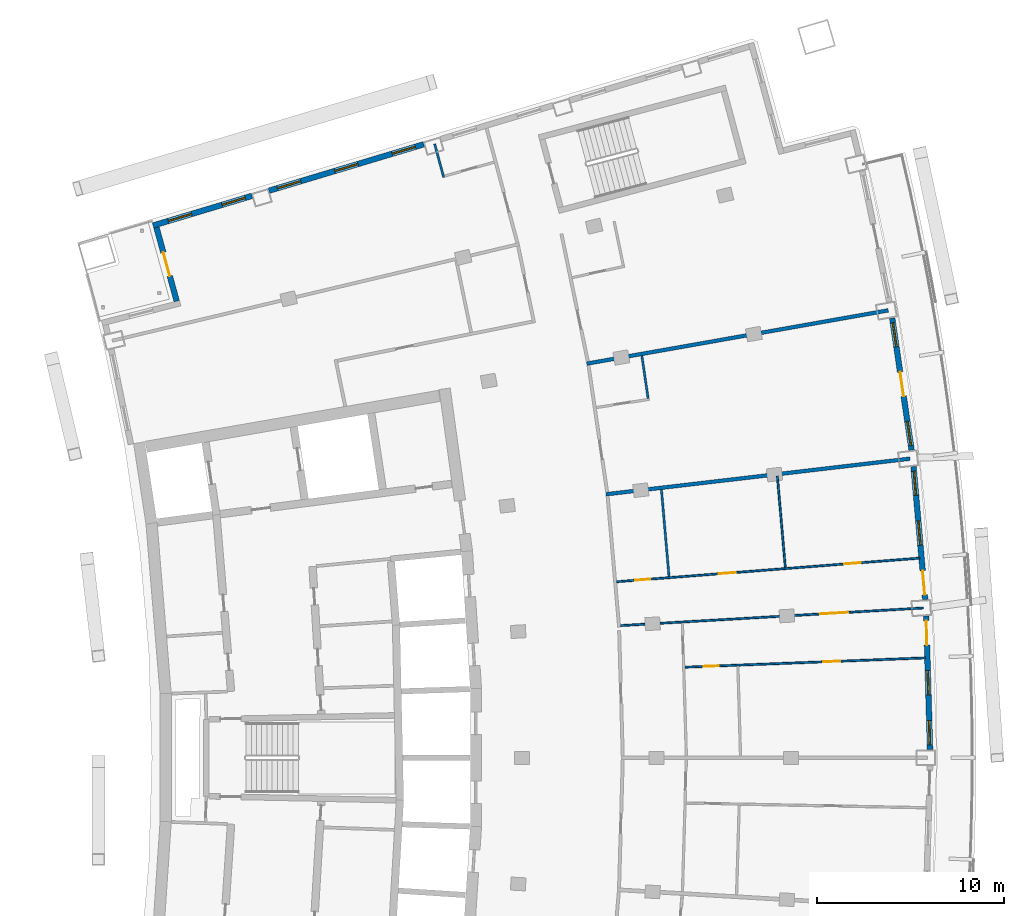
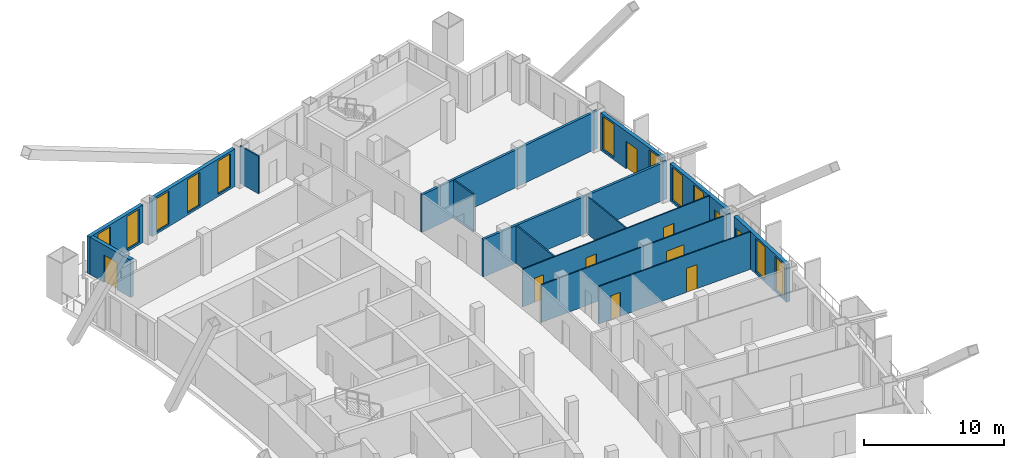
# One storey, part 14 of 19: 15 walls, 11 windows, 10 doors, 21 openings.
"""IFC4 building model written with IfcOpenShell, lengths in metres."""

from ifc_helpers import new_model, si_unit, direction, frame, frame_2d, origin, place, context, subcontext, project, spatial, rectangle, extrude, material, layer, layer_set, type_object, element, fill, save


model = new_model("IFC4")

# Units and contexts
model_context = context("Model", 3, precision=1e-05, world=origin(), true_north=direction((0.0, 1.0)))
body_context = subcontext(model_context, "Body", "Model", "MODEL_VIEW")
ifc_project = project(units=[si_unit("LENGTHUNIT", "METRE"), si_unit("AREAUNIT", "SQUARE_METRE"), si_unit("VOLUMEUNIT", "CUBIC_METRE"), si_unit("PLANEANGLEUNIT", "RADIAN"), si_unit("MASSUNIT", "GRAM", prefix="KILO")], contexts=[model_context])

# Site, building, storey
site_placement = place(None, origin())
site = spatial("IfcSite", under=ifc_project, at=site_placement, CompositionType="ELEMENT")
building_placement = place(site_placement, origin())
building = spatial("IfcBuilding", under=site, at=building_placement, Name="Alderwake Tower", CompositionType="ELEMENT")
storey_placement = place(building_placement, frame((0.0, 0.0, 221.60009765625)))
storey = spatial("IfcBuildingStorey", under=building, at=storey_placement, Name="L55", CompositionType="ELEMENT", Elevation=221.60009765625)

# Wall, openings, door, windows
ifc_material_1 = material(Name="Precast concrete C50/60 spandrel panel", Category="concrete")
ifc_layer_1 = layer(ifc_material_1, 0.300048828125)
ifc_layer_set_1 = layer_set([ifc_layer_1], Name="External wall EW1 Precast concrete C50/60 spandrel")
wall_type_1 = type_object("IfcWallType", Name="External wall EW1 Precast concrete C50/60 spandrel", PredefinedType="SOLIDWALL", material=ifc_layer_set_1)
wall_1_placement = place(storey_placement, frame((57.636962890625, 61.447265625, 0.0), z_axis=(0.0, 0.0, 1.0), x_axis=(-0.029158685433, 0.999574795132, 0.0)))
wall_1 = element("IfcWall", 1, at=wall_1_placement, inside=storey, type_object=wall_type_1, Name="External wall 16", PredefinedType="SOLIDWALL", context=body_context, shape_type="SweptSolid", body=[
    extrude(rectangle(XDim=7.133544921875, YDim=0.300048828125, at=frame_2d((3.56689453125, 0.0))), origin(), (0.0, 0.0, 1.0), 3.27978515625),
])
opening_1_placement = place(wall_1_placement, frame((0.24560546875, 0.0, 0.199951171875)))
opening_1 = element("IfcOpeningElement", 2, at=opening_1_placement, cuts=wall_1, Name="Opening W1", PredefinedType="OPENING", context=body_context, shape_type="SweptSolid", body=[
    extrude(rectangle(XDim=1.300048828125, YDim=2.89990234375, at=frame_2d((0.64990234375, 1.449951171875))), frame((0.0, 0.159912109375, 0.0), z_axis=(0.0, -1.0, 0.0), x_axis=(1.0, 0.0, 0.0)), (0.0, 0.0, 1.0), 0.320068359375),
])
opening_2_placement = place(wall_1_placement, frame((2.916748046875, 0.0, 0.199951171875)))
opening_2 = element("IfcOpeningElement", 3, at=opening_2_placement, cuts=wall_1, Name="Opening W1", PredefinedType="OPENING", context=body_context, shape_type="SweptSolid", body=[
    extrude(rectangle(XDim=1.300048828125, YDim=2.89990234375, at=frame_2d((0.64990234375, 1.449951171875))), frame((0.0, 0.159912109375, 0.0), z_axis=(0.0, -1.0, 0.0), x_axis=(1.0, 0.0, 0.0)), (0.0, 0.0, 1.0), 0.320068359375),
])
opening_3_placement = place(wall_1_placement, frame((5.588134765625, 0.0, 0.0)))
opening_3 = element("IfcOpeningElement", 4, at=opening_3_placement, cuts=wall_1, Name="Opening D05", PredefinedType="OPENING", context=body_context, shape_type="SweptSolid", body=[
    extrude(rectangle(XDim=1.300048828125, YDim=2.39990234375, at=frame_2d((0.64990234375, 1.199951171875))), frame((0.0, 0.159912109375, 0.0), z_axis=(0.0, -1.0, 0.0), x_axis=(1.0, 0.0, 0.0)), (0.0, 0.0, 1.0), 0.320068359375),
])
ifc_material_2 = material(Name="Bronze tinted glass in aluminium frame", Category="aluminium")
door_type_1 = type_object("IfcDoorType", Name="Balcony door BD sliding", OperationType="SLIDING_TO_LEFT", PredefinedType="DOOR", material=ifc_material_2)
door_1_placement = place(opening_3_placement, origin())
door_1 = element("IfcDoor", 5, at=door_1_placement, inside=storey, type_object=door_type_1, Name="Door D05", OperationType="SLIDING_TO_LEFT", OverallHeight=2.39990234375, OverallWidth=1.300048828125, PredefinedType="DOOR", context=body_context, shape_type="SweptSolid", body=[
    extrude(rectangle(XDim=1.300048828125, YDim=2.39990234375, at=frame_2d((0.64990234375, 1.199951171875))), frame((0.0, 0.02490234375, 0.0), z_axis=(0.0, -1.0, 0.0), x_axis=(1.0, 0.0, 0.0)), (0.0, 0.0, 1.0), 0.050048828125),
])
fill(opening_3, door_1)
ifc_material_3 = material(Name="Bronze tinted glass in aluminium frame", Category="aluminium")
window_type = type_object("IfcWindowType", Name="Window W1 tall fixed and vent", PartitioningType="DOUBLE_PANEL_VERTICAL", PredefinedType="WINDOW", material=ifc_material_3)
window_1_placement = place(opening_1_placement, origin())
window_1 = element("IfcWindow", 6, at=window_1_placement, inside=storey, type_object=window_type, Name="Window W1 tall fixed and vent", OverallHeight=2.89990234375, OverallWidth=1.300048828125, PartitioningType="DOUBLE_PANEL_VERTICAL", PredefinedType="WINDOW", context=body_context, shape_type="SweptSolid", body=[
    extrude(rectangle(XDim=1.300048828125, YDim=2.89990234375, at=frame_2d((0.64990234375, 1.449951171875))), frame((0.0, 0.030029296875, 0.0), z_axis=(0.0, -1.0, 0.0), x_axis=(1.0, 0.0, 0.0)), (0.0, 0.0, 1.0), 0.06005859375),
])
fill(opening_1, window_1)
window_2_placement = place(opening_2_placement, origin())
window_2 = element("IfcWindow", 7, at=window_2_placement, inside=storey, type_object=window_type, Name="Window W1 tall fixed and vent", OverallHeight=2.89990234375, OverallWidth=1.300048828125, PartitioningType="DOUBLE_PANEL_VERTICAL", PredefinedType="WINDOW", context=body_context, shape_type="SweptSolid", body=[
    extrude(rectangle(XDim=1.300048828125, YDim=2.89990234375, at=frame_2d((0.64990234375, 1.449951171875))), frame((0.0, 0.030029296875, 0.0), z_axis=(0.0, -1.0, 0.0), x_axis=(1.0, 0.0, 0.0)), (0.0, 0.0, 1.0), 0.06005859375),
])
fill(opening_2, window_2)

wall_2_placement = place(storey_placement, frame((57.376708984375, 69.470703125, 0.0), z_axis=(0.0, 0.0, 1.0), x_axis=(-0.087372427007, 0.996175716929, 0.0)))
wall_2 = element("IfcWall", 8, at=wall_2_placement, inside=storey, type_object=wall_type_1, Name="External wall 17", PredefinedType="SOLIDWALL", context=body_context, shape_type="SweptSolid", body=[
    extrude(rectangle(XDim=7.1337890625, YDim=0.300048828125, at=frame_2d((3.56689453125, 0.0))), origin(), (0.0, 0.0, 1.0), 3.27978515625),
])
opening_4_placement = place(wall_2_placement, frame((0.24560546875, 0.0, 0.0)))
opening_4 = element("IfcOpeningElement", 9, at=opening_4_placement, cuts=wall_2, Name="Opening D06", PredefinedType="OPENING", context=body_context, shape_type="SweptSolid", body=[
    extrude(rectangle(XDim=1.300048828125, YDim=2.39990234375, at=frame_2d((0.64990234375, 1.199951171875))), frame((0.0, 0.159912109375, 0.0), z_axis=(0.0, -1.0, 0.0), x_axis=(1.0, 0.0, 0.0)), (0.0, 0.0, 1.0), 0.320068359375),
])
opening_5_placement = place(wall_2_placement, frame((2.916748046875, 0.0, 0.199951171875)))
opening_5 = element("IfcOpeningElement", 10, at=opening_5_placement, cuts=wall_2, Name="Opening W1", PredefinedType="OPENING", context=body_context, shape_type="SweptSolid", body=[
    extrude(rectangle(XDim=1.300048828125, YDim=2.89990234375, at=frame_2d((0.64990234375, 1.449951171875))), frame((0.0, 0.159912109375, 0.0), z_axis=(0.0, -1.0, 0.0), x_axis=(1.0, 0.0, 0.0)), (0.0, 0.0, 1.0), 0.320068359375),
])
opening_6_placement = place(wall_2_placement, frame((5.588134765625, 0.0, 0.199951171875)))
opening_6 = element("IfcOpeningElement", 11, at=opening_6_placement, cuts=wall_2, Name="Opening W1", PredefinedType="OPENING", context=body_context, shape_type="SweptSolid", body=[
    extrude(rectangle(XDim=1.300048828125, YDim=2.89990234375, at=frame_2d((0.64990234375, 1.449951171875))), frame((0.0, 0.159912109375, 0.0), z_axis=(0.0, -1.0, 0.0), x_axis=(1.0, 0.0, 0.0)), (0.0, 0.0, 1.0), 0.320068359375),
])
door_2_placement = place(opening_4_placement, origin())
door_2 = element("IfcDoor", 12, at=door_2_placement, inside=storey, type_object=door_type_1, Name="Door D06", OperationType="SLIDING_TO_LEFT", OverallHeight=2.39990234375, OverallWidth=1.300048828125, PredefinedType="DOOR", context=body_context, shape_type="SweptSolid", body=[
    extrude(rectangle(XDim=1.300048828125, YDim=2.39990234375, at=frame_2d((0.64990234375, 1.199951171875))), frame((0.0, 0.02490234375, 0.0), z_axis=(0.0, -1.0, 0.0), x_axis=(1.0, 0.0, 0.0)), (0.0, 0.0, 1.0), 0.050048828125),
])
fill(opening_4, door_2)
window_3_placement = place(opening_5_placement, origin())
window_3 = element("IfcWindow", 13, at=window_3_placement, inside=storey, type_object=window_type, Name="Window W1 tall fixed and vent", OverallHeight=2.89990234375, OverallWidth=1.300048828125, PartitioningType="DOUBLE_PANEL_VERTICAL", PredefinedType="WINDOW", context=body_context, shape_type="SweptSolid", body=[
    extrude(rectangle(XDim=1.300048828125, YDim=2.89990234375, at=frame_2d((0.64990234375, 1.449951171875))), frame((0.0, 0.030029296875, 0.0), z_axis=(0.0, -1.0, 0.0), x_axis=(1.0, 0.0, 0.0)), (0.0, 0.0, 1.0), 0.06005859375),
])
fill(opening_5, window_3)
window_4_placement = place(opening_6_placement, origin())
window_4 = element("IfcWindow", 14, at=window_4_placement, inside=storey, type_object=window_type, Name="Window W1 tall fixed and vent", OverallHeight=2.89990234375, OverallWidth=1.300048828125, PartitioningType="DOUBLE_PANEL_VERTICAL", PredefinedType="WINDOW", context=body_context, shape_type="SweptSolid", body=[
    extrude(rectangle(XDim=1.300048828125, YDim=2.89990234375, at=frame_2d((0.64990234375, 1.449951171875))), frame((0.0, 0.030029296875, 0.0), z_axis=(0.0, -1.0, 0.0), x_axis=(1.0, 0.0, 0.0)), (0.0, 0.0, 1.0), 0.06005859375),
])
fill(opening_6, window_4)

wall_3_placement = place(storey_placement, frame((56.649169921875, 77.465576171875, 0.0), z_axis=(0.0, 0.0, 1.0), x_axis=(-0.14531565173, 0.989385345233, 0.0)))
wall_3 = element("IfcWall", 15, at=wall_3_placement, inside=storey, type_object=wall_type_1, Name="External wall 18", PredefinedType="SOLIDWALL", context=body_context, shape_type="SweptSolid", body=[
    extrude(rectangle(XDim=7.133544921875, YDim=0.300048828125, at=frame_2d((3.56689453125, 0.0))), origin(), (0.0, 0.0, 1.0), 3.27978515625),
])
opening_7_placement = place(wall_3_placement, frame((0.24560546875, 0.0, 0.199951171875)))
opening_7 = element("IfcOpeningElement", 16, at=opening_7_placement, cuts=wall_3, Name="Opening W1", PredefinedType="OPENING", context=body_context, shape_type="SweptSolid", body=[
    extrude(rectangle(XDim=1.300048828125, YDim=2.89990234375, at=frame_2d((0.64990234375, 1.449951171875))), frame((0.0, 0.159912109375, 0.0), z_axis=(0.0, -1.0, 0.0), x_axis=(1.0, 0.0, 0.0)), (0.0, 0.0, 1.0), 0.320068359375),
])
opening_8_placement = place(wall_3_placement, frame((2.916748046875, 0.0, 0.0)))
opening_8 = element("IfcOpeningElement", 17, at=opening_8_placement, cuts=wall_3, Name="Opening D07", PredefinedType="OPENING", context=body_context, shape_type="SweptSolid", body=[
    extrude(rectangle(XDim=1.300048828125, YDim=2.39990234375, at=frame_2d((0.64990234375, 1.199951171875))), frame((0.0, 0.159912109375, 0.0), z_axis=(0.0, -1.0, 0.0), x_axis=(1.0, 0.0, 0.0)), (0.0, 0.0, 1.0), 0.320068359375),
])
opening_9_placement = place(wall_3_placement, frame((5.588134765625, 0.0, 0.199951171875)))
opening_9 = element("IfcOpeningElement", 18, at=opening_9_placement, cuts=wall_3, Name="Opening W1", PredefinedType="OPENING", context=body_context, shape_type="SweptSolid", body=[
    extrude(rectangle(XDim=1.300048828125, YDim=2.89990234375, at=frame_2d((0.64990234375, 1.449951171875))), frame((0.0, 0.159912109375, 0.0), z_axis=(0.0, -1.0, 0.0), x_axis=(1.0, 0.0, 0.0)), (0.0, 0.0, 1.0), 0.320068359375),
])
door_3_placement = place(opening_8_placement, origin())
door_3 = element("IfcDoor", 19, at=door_3_placement, inside=storey, type_object=door_type_1, Name="Door D07", OperationType="SLIDING_TO_LEFT", OverallHeight=2.39990234375, OverallWidth=1.300048828125, PredefinedType="DOOR", context=body_context, shape_type="SweptSolid", body=[
    extrude(rectangle(XDim=1.300048828125, YDim=2.39990234375, at=frame_2d((0.64990234375, 1.199951171875))), frame((0.0, 0.02490234375, 0.0), z_axis=(0.0, -1.0, 0.0), x_axis=(1.0, 0.0, 0.0)), (0.0, 0.0, 1.0), 0.050048828125),
])
fill(opening_8, door_3)
window_5_placement = place(opening_7_placement, origin())
window_5 = element("IfcWindow", 20, at=window_5_placement, inside=storey, type_object=window_type, Name="Window W1 tall fixed and vent", OverallHeight=2.89990234375, OverallWidth=1.300048828125, PartitioningType="DOUBLE_PANEL_VERTICAL", PredefinedType="WINDOW", context=body_context, shape_type="SweptSolid", body=[
    extrude(rectangle(XDim=1.300048828125, YDim=2.89990234375, at=frame_2d((0.64990234375, 1.449951171875))), frame((0.0, 0.030029296875, 0.0), z_axis=(0.0, -1.0, 0.0), x_axis=(1.0, 0.0, 0.0)), (0.0, 0.0, 1.0), 0.06005859375),
])
fill(opening_7, window_5)
window_6_placement = place(opening_9_placement, origin())
window_6 = element("IfcWindow", 21, at=window_6_placement, inside=storey, type_object=window_type, Name="Window W1 tall fixed and vent", OverallHeight=2.89990234375, OverallWidth=1.300048828125, PartitioningType="DOUBLE_PANEL_VERTICAL", PredefinedType="WINDOW", context=body_context, shape_type="SweptSolid", body=[
    extrude(rectangle(XDim=1.300048828125, YDim=2.89990234375, at=frame_2d((0.64990234375, 1.449951171875))), frame((0.0, 0.030029296875, 0.0), z_axis=(0.0, -1.0, 0.0), x_axis=(1.0, 0.0, 0.0)), (0.0, 0.0, 1.0), 0.06005859375),
])
fill(opening_9, window_6)

# Wall, openings, windows
ifc_material_4 = material(Name="Bronze metal cladding on lightweight framing")
ifc_layer_2 = layer(ifc_material_4, 0.300048828125)
ifc_layer_set_2 = layer_set([ifc_layer_2], Name="External wall EW2 bronze metal cladding")
wall_type_2 = type_object("IfcWallType", Name="External wall EW2 bronze metal cladding", PredefinedType="SOLIDWALL", material=ifc_layer_set_2)
wall_4_placement = place(storey_placement, frame((30.551513671875, 93.8251953125, 0.0), z_axis=(0.0, 0.0, 1.0), x_axis=(-0.957767198916, -0.287544766394, 0.0)))
wall_4 = element("IfcWall", 22, at=wall_4_placement, inside=storey, type_object=wall_type_2, Name="External wall 26", PredefinedType="SOLIDWALL", context=body_context, shape_type="SweptSolid", body=[
    extrude(rectangle(XDim=8.64599609375, YDim=0.300048828125, at=frame_2d((4.322998046875, 0.0))), origin(), (0.0, 0.0, 1.0), 3.27978515625),
])
opening_10_placement = place(wall_4_placement, frame((0.47314453125, 0.0, 0.199951171875)))
opening_10 = element("IfcOpeningElement", 23, at=opening_10_placement, cuts=wall_4, Name="Opening W1", PredefinedType="OPENING", context=body_context, shape_type="SweptSolid", body=[
    extrude(rectangle(XDim=1.300048828125, YDim=2.89990234375, at=frame_2d((0.64990234375, 1.449951171875))), frame((0.0, 0.159912109375, 0.0), z_axis=(0.0, -1.0, 0.0), x_axis=(1.0, 0.0, 0.0)), (0.0, 0.0, 1.0), 0.320068359375),
])
opening_11_placement = place(wall_4_placement, frame((3.673095703125, 0.0, 0.199951171875)))
opening_11 = element("IfcOpeningElement", 24, at=opening_11_placement, cuts=wall_4, Name="Opening W1", PredefinedType="OPENING", context=body_context, shape_type="SweptSolid", body=[
    extrude(rectangle(XDim=1.300048828125, YDim=2.89990234375, at=frame_2d((0.64990234375, 1.449951171875))), frame((0.0, 0.159912109375, 0.0), z_axis=(0.0, -1.0, 0.0), x_axis=(1.0, 0.0, 0.0)), (0.0, 0.0, 1.0), 0.320068359375),
])
opening_12_placement = place(wall_4_placement, frame((6.873291015625, 0.0, 0.199951171875)))
opening_12 = element("IfcOpeningElement", 25, at=opening_12_placement, cuts=wall_4, Name="Opening W1", PredefinedType="OPENING", context=body_context, shape_type="SweptSolid", body=[
    extrude(rectangle(XDim=1.300048828125, YDim=2.89990234375, at=frame_2d((0.64990234375, 1.449951171875))), frame((0.0, 0.159912109375, 0.0), z_axis=(0.0, -1.0, 0.0), x_axis=(1.0, 0.0, 0.0)), (0.0, 0.0, 1.0), 0.320068359375),
])
window_7_placement = place(opening_10_placement, origin())
window_7 = element("IfcWindow", 26, at=window_7_placement, inside=storey, type_object=window_type, Name="Window W1 tall fixed and vent", OverallHeight=2.89990234375, OverallWidth=1.300048828125, PartitioningType="DOUBLE_PANEL_VERTICAL", PredefinedType="WINDOW", context=body_context, shape_type="SweptSolid", body=[
    extrude(rectangle(XDim=1.300048828125, YDim=2.89990234375, at=frame_2d((0.64990234375, 1.449951171875))), frame((0.0, 0.030029296875, 0.0), z_axis=(0.0, -1.0, 0.0), x_axis=(1.0, 0.0, 0.0)), (0.0, 0.0, 1.0), 0.06005859375),
])
fill(opening_10, window_7)
window_8_placement = place(opening_11_placement, origin())
window_8 = element("IfcWindow", 27, at=window_8_placement, inside=storey, type_object=window_type, Name="Window W1 tall fixed and vent", OverallHeight=2.89990234375, OverallWidth=1.300048828125, PartitioningType="DOUBLE_PANEL_VERTICAL", PredefinedType="WINDOW", context=body_context, shape_type="SweptSolid", body=[
    extrude(rectangle(XDim=1.300048828125, YDim=2.89990234375, at=frame_2d((0.64990234375, 1.449951171875))), frame((0.0, 0.030029296875, 0.0), z_axis=(0.0, -1.0, 0.0), x_axis=(1.0, 0.0, 0.0)), (0.0, 0.0, 1.0), 0.06005859375),
])
fill(opening_11, window_8)
window_9_placement = place(opening_12_placement, origin())
window_9 = element("IfcWindow", 28, at=window_9_placement, inside=storey, type_object=window_type, Name="Window W1 tall fixed and vent", OverallHeight=2.89990234375, OverallWidth=1.300048828125, PartitioningType="DOUBLE_PANEL_VERTICAL", PredefinedType="WINDOW", context=body_context, shape_type="SweptSolid", body=[
    extrude(rectangle(XDim=1.300048828125, YDim=2.89990234375, at=frame_2d((0.64990234375, 1.449951171875))), frame((0.0, 0.030029296875, 0.0), z_axis=(0.0, -1.0, 0.0), x_axis=(1.0, 0.0, 0.0)), (0.0, 0.0, 1.0), 0.06005859375),
])
fill(opening_12, window_9)

wall_5_placement = place(storey_placement, frame((21.356689453125, 91.064697265625, 0.0), z_axis=(0.0, 0.0, 1.0), x_axis=(-0.957772749247, -0.287526278451, 0.0)))
wall_5 = element("IfcWall", 29, at=wall_5_placement, inside=storey, type_object=wall_type_2, Name="External wall 27", PredefinedType="SOLIDWALL", context=body_context, shape_type="SweptSolid", body=[
    extrude(rectangle(XDim=5.524169921875, YDim=0.300048828125, at=frame_2d((2.76220703125, 0.0))), origin(), (0.0, 0.0, 1.0), 3.27978515625),
])
opening_13_placement = place(wall_5_placement, frame((0.373291015625, 0.0, 0.199951171875)))
opening_13 = element("IfcOpeningElement", 30, at=opening_13_placement, cuts=wall_5, Name="Opening W1", PredefinedType="OPENING", context=body_context, shape_type="SweptSolid", body=[
    extrude(rectangle(XDim=1.300048828125, YDim=2.89990234375, at=frame_2d((0.64990234375, 1.449951171875))), frame((0.0, 0.159912109375, 0.0), z_axis=(0.0, -1.0, 0.0), x_axis=(1.0, 0.0, 0.0)), (0.0, 0.0, 1.0), 0.320068359375),
])
opening_14_placement = place(wall_5_placement, frame((3.3740234375, 0.0, 0.199951171875)))
opening_14 = element("IfcOpeningElement", 31, at=opening_14_placement, cuts=wall_5, Name="Opening W1", PredefinedType="OPENING", context=body_context, shape_type="SweptSolid", body=[
    extrude(rectangle(XDim=1.300048828125, YDim=2.89990234375, at=frame_2d((0.64990234375, 1.449951171875))), frame((0.0, 0.159912109375, 0.0), z_axis=(0.0, -1.0, 0.0), x_axis=(1.0, 0.0, 0.0)), (0.0, 0.0, 1.0), 0.320068359375),
])
window_10_placement = place(opening_13_placement, origin())
window_10 = element("IfcWindow", 32, at=window_10_placement, inside=storey, type_object=window_type, Name="Window W1 tall fixed and vent", OverallHeight=2.89990234375, OverallWidth=1.300048828125, PartitioningType="DOUBLE_PANEL_VERTICAL", PredefinedType="WINDOW", context=body_context, shape_type="SweptSolid", body=[
    extrude(rectangle(XDim=1.300048828125, YDim=2.89990234375, at=frame_2d((0.64990234375, 1.449951171875))), frame((0.0, 0.030029296875, 0.0), z_axis=(0.0, -1.0, 0.0), x_axis=(1.0, 0.0, 0.0)), (0.0, 0.0, 1.0), 0.06005859375),
])
fill(opening_13, window_10)
window_11_placement = place(opening_14_placement, origin())
window_11 = element("IfcWindow", 33, at=window_11_placement, inside=storey, type_object=window_type, Name="Window W1 tall fixed and vent", OverallHeight=2.89990234375, OverallWidth=1.300048828125, PartitioningType="DOUBLE_PANEL_VERTICAL", PredefinedType="WINDOW", context=body_context, shape_type="SweptSolid", body=[
    extrude(rectangle(XDim=1.300048828125, YDim=2.89990234375, at=frame_2d((0.64990234375, 1.449951171875))), frame((0.0, 0.030029296875, 0.0), z_axis=(0.0, -1.0, 0.0), x_axis=(1.0, 0.0, 0.0)), (0.0, 0.0, 1.0), 0.06005859375),
])
fill(opening_14, window_11)

# Wall, opening, door
wall_6_placement = place(storey_placement, frame((16.248779296875, 89.374755859375, 0.0), z_axis=(0.0, 0.0, 1.0), x_axis=(0.264607053468, -0.964356317579, 0.0)))
wall_6 = element("IfcWall", 34, at=wall_6_placement, inside=storey, type_object=wall_type_2, Name="External wall 28", PredefinedType="SOLIDWALL", context=body_context, shape_type="SweptSolid", body=[
    extrude(rectangle(XDim=4.090087890625, YDim=0.300048828125, at=frame_2d((2.044921875, 0.0))), origin(), (0.0, 0.0, 1.0), 3.27978515625),
])
opening_15_placement = place(wall_6_placement, frame((1.39501953125, 0.0, 0.0)))
opening_15 = element("IfcOpeningElement", 35, at=opening_15_placement, cuts=wall_6, Name="Opening D09", PredefinedType="OPENING", context=body_context, shape_type="SweptSolid", body=[
    extrude(rectangle(XDim=1.300048828125, YDim=2.39990234375, at=frame_2d((0.64990234375, 1.199951171875))), frame((0.0, 0.159912109375, 0.0), z_axis=(0.0, -1.0, 0.0), x_axis=(1.0, 0.0, 0.0)), (0.0, 0.0, 1.0), 0.320068359375),
])
door_4_placement = place(opening_15_placement, origin())
door_4 = element("IfcDoor", 36, at=door_4_placement, inside=storey, type_object=door_type_1, Name="Door D09", OperationType="SLIDING_TO_LEFT", OverallHeight=2.39990234375, OverallWidth=1.300048828125, PredefinedType="DOOR", context=body_context, shape_type="SweptSolid", body=[
    extrude(rectangle(XDim=1.300048828125, YDim=2.39990234375, at=frame_2d((0.64990234375, 1.199951171875))), frame((0.0, 0.02490234375, 0.0), z_axis=(0.0, -1.0, 0.0), x_axis=(1.0, 0.0, 0.0)), (0.0, 0.0, 1.0), 0.050048828125),
])
fill(opening_15, door_4)

# Walls
ifc_material_5 = material(Name="Dense block masonry wall", Category="masonry")
ifc_layer_3 = layer(ifc_material_5, 0.199951171875)
ifc_layer_set_3 = layer_set([ifc_layer_3], Name="Party wall 200")
wall_type_3 = type_object("IfcWallType", Name="Party wall 200", PredefinedType="SOLIDWALL", material=ifc_layer_set_3)
wall_7_placement = place(storey_placement, frame((40.297607421875, 75.0986328125, 0.0), z_axis=(0.0, 0.0, 1.0), x_axis=(0.993210909996, 0.116327504339, 0.0)))
element("IfcWall", 37, at=wall_7_placement, inside=storey, type_object=wall_type_3, Name="WL/L55/W01", PredefinedType="SOLIDWALL", context=body_context, shape_type="SweptSolid", body=[
    extrude(rectangle(XDim=16.37841796875, YDim=0.199951171875, at=frame_2d((8.189208984375, 0.0))), origin(), (0.0, 0.0, 1.0), 3.27978515625),
])
wall_8_placement = place(storey_placement, frame((55.40087890625, 84.93896484375, 0.0), z_axis=(0.0, 0.0, 1.0), x_axis=(-0.984730701912, -0.174084590678, 0.0)))
element("IfcWall", 38, at=wall_8_placement, inside=storey, type_object=wall_type_3, Name="WL/L55/W02", PredefinedType="SOLIDWALL", context=body_context, shape_type="SweptSolid", body=[
    extrude(rectangle(XDim=16.3818359375, YDim=0.199951171875, at=frame_2d((8.19091796875, 0.0))), origin(), (0.0, 0.0, 1.0), 3.27978515625),
])

# Wall, openings, doors
ifc_material_6 = material(Name="Gypsum board on metal studs")
ifc_layer_4 = layer(ifc_material_6, 0.10009765625)
ifc_layer_set_4 = layer_set([ifc_layer_4], Name="Unit partition 100")
wall_type_4 = type_object("IfcWallType", Name="Unit partition 100", PredefinedType="PARTITIONING", material=ifc_layer_set_4)
wall_9_placement = place(storey_placement, frame((40.867919921875, 70.419189453125, 0.0), z_axis=(0.0, 0.0, 1.0), x_axis=(0.996981000907, 0.077645887405, 0.0)))
wall_9 = element("IfcWall", 39, at=wall_9_placement, inside=storey, type_object=wall_type_4, Name="WL/L55/W48", PredefinedType="PARTITIONING", context=body_context, shape_type="SweptSolid", body=[
    extrude(rectangle(XDim=16.26220703125, YDim=0.10009765625, at=frame_2d((8.131103515625, 0.0))), origin(), (0.0, 0.0, 1.0), 3.27978515625),
])
opening_16_placement = place(wall_9_placement, frame((5.4892578125, 0.0, 0.0)))
opening_16 = element("IfcOpeningElement", 40, at=opening_16_placement, cuts=wall_9, Name="Opening R16-U06.5", PredefinedType="OPENING", context=body_context, shape_type="SweptSolid", body=[
    extrude(rectangle(XDim=0.89990234375, YDim=2.10009765625, at=frame_2d((0.449951171875, 1.050048828125))), frame((0.0, 0.06005859375, 0.0), z_axis=(0.0, -1.0, 0.0), x_axis=(1.0, 0.0, 0.0)), (0.0, 0.0, 1.0), 0.1201171875),
])
opening_17_placement = place(wall_9_placement, frame((1.009521484375, 0.0, 0.0)))
opening_17 = element("IfcOpeningElement", 41, at=opening_17_placement, cuts=wall_9, Name="Opening R16-U06.6", PredefinedType="OPENING", context=body_context, shape_type="SweptSolid", body=[
    extrude(rectangle(XDim=0.800048828125, YDim=2.10009765625, at=frame_2d((0.39990234375, 1.050048828125))), frame((0.0, 0.06005859375, 0.0), z_axis=(0.0, -1.0, 0.0), x_axis=(1.0, 0.0, 0.0)), (0.0, 0.0, 1.0), 0.1201171875),
])
opening_18_placement = place(wall_9_placement, frame((12.211181640625, 0.0, 0.0)))
opening_18 = element("IfcOpeningElement", 42, at=opening_18_placement, cuts=wall_9, Name="Opening R16-U06.7", PredefinedType="OPENING", context=body_context, shape_type="SweptSolid", body=[
    extrude(rectangle(XDim=0.89990234375, YDim=2.10009765625, at=frame_2d((0.449951171875, 1.050048828125))), frame((0.0, 0.06005859375, 0.0), z_axis=(0.0, -1.0, 0.0), x_axis=(1.0, 0.0, 0.0)), (0.0, 0.0, 1.0), 0.1201171875),
])
ifc_material_7 = material(Name="Painted timber leaf", Category="wood")
door_type_2 = type_object("IfcDoorType", Name="Bathroom door 800", OperationType="SINGLE_SWING_LEFT", PredefinedType="DOOR", material=ifc_material_7)
door_5_placement = place(opening_17_placement, origin())
door_5 = element("IfcDoor", 43, at=door_5_placement, inside=storey, type_object=door_type_2, Name="DR/L55/U06.6", OperationType="SINGLE_SWING_LEFT", OverallHeight=2.10009765625, OverallWidth=0.800048828125, PredefinedType="DOOR", context=body_context, shape_type="SweptSolid", body=[
    extrude(rectangle(XDim=0.800048828125, YDim=2.10009765625, at=frame_2d((0.39990234375, 1.050048828125))), frame((0.0, 0.02490234375, 0.0), z_axis=(0.0, -1.0, 0.0), x_axis=(1.0, 0.0, 0.0)), (0.0, 0.0, 1.0), 0.050048828125),
])
fill(opening_17, door_5)
ifc_material_8 = material(Name="Painted timber leaf", Category="wood")
door_type_3 = type_object("IfcDoorType", Name="Room door 900", OperationType="SINGLE_SWING_LEFT", PredefinedType="DOOR", material=ifc_material_8)
door_6_placement = place(opening_16_placement, origin())
door_6 = element("IfcDoor", 44, at=door_6_placement, inside=storey, type_object=door_type_3, Name="DR/L55/U06.5", OperationType="SINGLE_SWING_LEFT", OverallHeight=2.10009765625, OverallWidth=0.89990234375, PredefinedType="DOOR", context=body_context, shape_type="SweptSolid", body=[
    extrude(rectangle(XDim=0.89990234375, YDim=2.10009765625, at=frame_2d((0.449951171875, 1.050048828125))), frame((0.0, 0.02490234375, 0.0), z_axis=(0.0, -1.0, 0.0), x_axis=(1.0, 0.0, 0.0)), (0.0, 0.0, 1.0), 0.050048828125),
])
fill(opening_16, door_6)
door_7_placement = place(opening_18_placement, origin())
door_7 = element("IfcDoor", 45, at=door_7_placement, inside=storey, type_object=door_type_3, Name="DR/L55/U06.7", OperationType="SINGLE_SWING_LEFT", OverallHeight=2.10009765625, OverallWidth=0.89990234375, PredefinedType="DOOR", context=body_context, shape_type="SweptSolid", body=[
    extrude(rectangle(XDim=0.89990234375, YDim=2.10009765625, at=frame_2d((0.449951171875, 1.050048828125))), frame((0.0, 0.02490234375, 0.0), z_axis=(0.0, -1.0, 0.0), x_axis=(1.0, 0.0, 0.0)), (0.0, 0.0, 1.0), 0.050048828125),
])
fill(opening_18, door_7)

# Wall, opening, door
wall_10_placement = place(storey_placement, frame((41.074951171875, 68.07177734375, 0.0), z_axis=(0.0, 0.0, 1.0), x_axis=(0.998308048932, 0.058146706166, 0.0)))
wall_10 = element("IfcWall", 46, at=wall_10_placement, inside=storey, type_object=wall_type_4, Name="WL/L55/W49", PredefinedType="PARTITIONING", context=body_context, shape_type="SweptSolid", body=[
    extrude(rectangle(XDim=16.219482421875, YDim=0.10009765625, at=frame_2d((8.10986328125, 0.0))), origin(), (0.0, 0.0, 1.0), 3.27978515625),
])
opening_19_placement = place(wall_10_placement, frame((10.692626953125, 0.0, 0.0)))
opening_19 = element("IfcOpeningElement", 47, at=opening_19_placement, cuts=wall_10, Name="Opening R16-U06.8", PredefinedType="OPENING", context=body_context, shape_type="SweptSolid", body=[
    extrude(rectangle(XDim=1.5, YDim=2.10009765625, at=frame_2d((0.75, 1.050048828125))), frame((0.0, 0.06005859375, 0.0), z_axis=(0.0, -1.0, 0.0), x_axis=(1.0, 0.0, 0.0)), (0.0, 0.0, 1.0), 0.1201171875),
])
ifc_material_9 = material(Name="Painted timber leaves", Category="wood")
door_type_4 = type_object("IfcDoorType", Name="Double leaf door 1500", OperationType="DOUBLE_DOOR_SINGLE_SWING", PredefinedType="DOOR", material=ifc_material_9)
door_8_placement = place(opening_19_placement, origin())
door_8 = element("IfcDoor", 48, at=door_8_placement, inside=storey, type_object=door_type_4, Name="DR/L55/U06.8", OperationType="DOUBLE_DOOR_SINGLE_SWING", OverallHeight=2.10009765625, OverallWidth=1.5, PredefinedType="DOOR", context=body_context, shape_type="SweptSolid", body=[
    extrude(rectangle(XDim=1.5, YDim=2.10009765625, at=frame_2d((0.75, 1.050048828125))), frame((0.0, 0.02490234375, 0.0), z_axis=(0.0, -1.0, 0.0), x_axis=(1.0, 0.0, 0.0)), (0.0, 0.0, 1.0), 0.050048828125),
])
fill(opening_19, door_8)

# Wall, openings, doors
wall_11_placement = place(storey_placement, frame((57.39306640625, 66.344970703125, 0.0), z_axis=(0.0, 0.0, 1.0), x_axis=(-0.999250217177, -0.038716966198, 0.0)))
wall_11 = element("IfcWall", 49, at=wall_11_placement, inside=storey, type_object=wall_type_4, Name="WL/L55/W52", PredefinedType="PARTITIONING", context=body_context, shape_type="SweptSolid", body=[
    extrude(rectangle(XDim=12.8828125, YDim=0.10009765625, at=frame_2d((6.44140625, 0.0))), origin(), (0.0, 0.0, 1.0), 3.27978515625),
])
opening_20_placement = place(wall_11_placement, frame((11.06396484375, 0.0, 0.0)))
opening_20 = element("IfcOpeningElement", 50, at=opening_20_placement, cuts=wall_11, Name="Opening R16-U06.3", PredefinedType="OPENING", context=body_context, shape_type="SweptSolid", body=[
    extrude(rectangle(XDim=0.800048828125, YDim=2.10009765625, at=frame_2d((0.39990234375, 1.050048828125))), frame((0.0, 0.06005859375, 0.0), z_axis=(0.0, -1.0, 0.0), x_axis=(1.0, 0.0, 0.0)), (0.0, 0.0, 1.0), 0.1201171875),
])
opening_21_placement = place(wall_11_placement, frame((4.57275390625, 0.0, 0.0)))
opening_21 = element("IfcOpeningElement", 51, at=opening_21_placement, cuts=wall_11, Name="Opening R16-U06.4", PredefinedType="OPENING", context=body_context, shape_type="SweptSolid", body=[
    extrude(rectangle(XDim=0.89990234375, YDim=2.10009765625, at=frame_2d((0.449951171875, 1.050048828125))), frame((0.0, 0.06005859375, 0.0), z_axis=(0.0, -1.0, 0.0), x_axis=(1.0, 0.0, 0.0)), (0.0, 0.0, 1.0), 0.1201171875),
])
door_9_placement = place(opening_20_placement, origin())
door_9 = element("IfcDoor", 52, at=door_9_placement, inside=storey, type_object=door_type_2, Name="DR/L55/U06.3", OperationType="SINGLE_SWING_LEFT", OverallHeight=2.10009765625, OverallWidth=0.800048828125, PredefinedType="DOOR", context=body_context, shape_type="SweptSolid", body=[
    extrude(rectangle(XDim=0.800048828125, YDim=2.10009765625, at=frame_2d((0.39990234375, 1.050048828125))), frame((0.0, 0.02490234375, 0.0), z_axis=(0.0, -1.0, 0.0), x_axis=(1.0, 0.0, 0.0)), (0.0, 0.0, 1.0), 0.050048828125),
])
fill(opening_20, door_9)
door_10_placement = place(opening_21_placement, origin())
door_10 = element("IfcDoor", 53, at=door_10_placement, inside=storey, type_object=door_type_3, Name="DR/L55/U06.4", OperationType="SINGLE_SWING_LEFT", OverallHeight=2.10009765625, OverallWidth=0.89990234375, PredefinedType="DOOR", context=body_context, shape_type="SweptSolid", body=[
    extrude(rectangle(XDim=0.89990234375, YDim=2.10009765625, at=frame_2d((0.449951171875, 1.050048828125))), frame((0.0, 0.02490234375, 0.0), z_axis=(0.0, -1.0, 0.0), x_axis=(1.0, 0.0, 0.0)), (0.0, 0.0, 1.0), 0.050048828125),
])
fill(opening_21, door_10)

# Walls
wall_12_placement = place(storey_placement, frame((49.89453125, 71.173828125, 0.0), z_axis=(0.0, 0.0, 1.0), x_axis=(-0.086972353557, 0.996210725558, 0.0)))
element("IfcWall", 54, at=wall_12_placement, inside=storey, type_object=wall_type_4, Name="WL/L55/W54", PredefinedType="PARTITIONING", context=body_context, shape_type="SweptSolid", body=[
    extrude(rectangle(XDim=4.91796875, YDim=0.10009765625, at=frame_2d((2.458984375, 0.0))), origin(), (0.0, 0.0, 1.0), 3.27978515625),
])
ifc_material_10 = material(Name="Moisture resistant gypsum board on metal studs")
ifc_layer_5 = layer(ifc_material_10, 0.1201171875)
ifc_layer_set_5 = layer_set([ifc_layer_5], Name="Wet room partition 120")
wall_type_5 = type_object("IfcWallType", Name="Wet room partition 120", PredefinedType="PARTITIONING", material=ifc_layer_set_5)
wall_13_placement = place(storey_placement, frame((31.134033203125, 93.843017578125, 0.0), z_axis=(0.0, 0.0, 1.0), x_axis=(0.260171283127, -0.965562480338, 0.0)))
element("IfcWall", 55, at=wall_13_placement, inside=storey, type_object=wall_type_5, Name="WL/L55/W31", PredefinedType="PARTITIONING", context=body_context, shape_type="SweptSolid", body=[
    extrude(rectangle(XDim=1.85888671875, YDim=0.1201171875, at=frame_2d((0.929443359375, 0.0))), origin(), (0.0, 0.0, 1.0), 3.27978515625),
])
wall_14_placement = place(storey_placement, frame((42.55224609375, 80.2314453125, 0.0), z_axis=(0.0, 0.0, 1.0), x_axis=(-0.144984056833, 0.989433991363, 0.0)))
element("IfcWall", 56, at=wall_14_placement, inside=storey, type_object=wall_type_5, Name="WL/L55/W38", PredefinedType="PARTITIONING", context=body_context, shape_type="SweptSolid", body=[
    extrude(rectangle(XDim=2.302001953125, YDim=0.1201171875, at=frame_2d((1.15087890625, 0.0))), origin(), (0.0, 0.0, 1.0), 3.27978515625),
])
wall_15_placement = place(storey_placement, frame((43.672607421875, 70.687744140625, 0.0), z_axis=(0.0, 0.0, 1.0), x_axis=(-0.087010256841, 0.996207415755, 0.0)))
element("IfcWall", 57, at=wall_15_placement, inside=storey, type_object=wall_type_5, Name="WL/L55/W40", PredefinedType="PARTITIONING", context=body_context, shape_type="SweptSolid", body=[
    extrude(rectangle(XDim=4.677490234375, YDim=0.1201171875, at=frame_2d((2.3388671875, 0.0))), origin(), (0.0, 0.0, 1.0), 3.27978515625),
])

save(model, "model.ifc")
